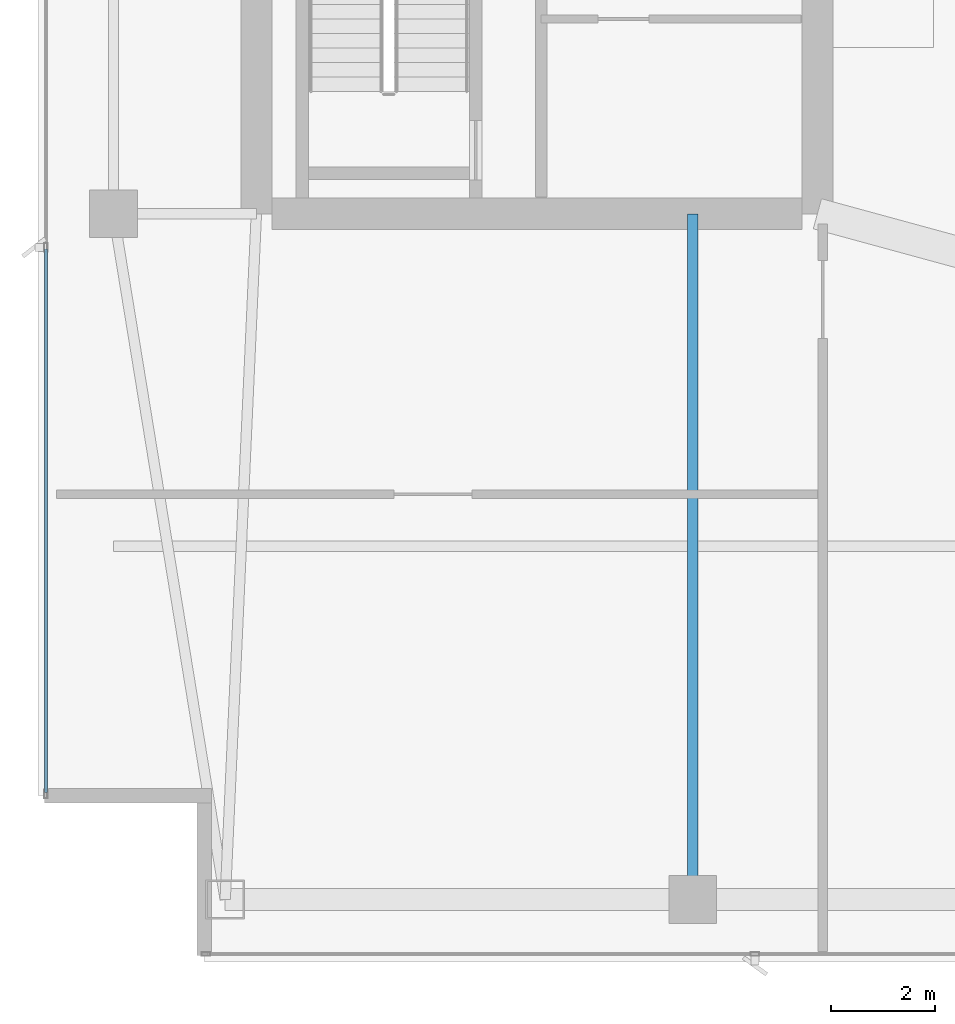
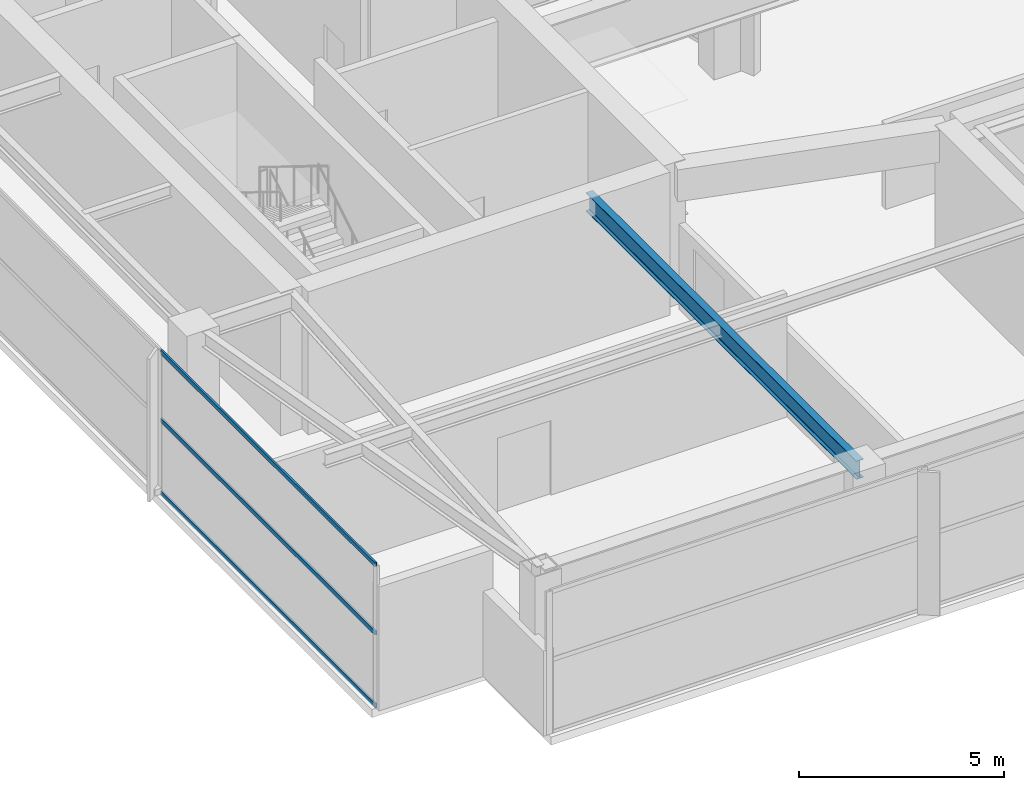
# One storey, part 4 of 25: 3 members, 1 beam, 1 element without a shape of its own.
"""IFC4 building model written with IfcOpenShell, lengths in metres."""

from ifc_helpers import new_model, si_unit, direction, frame, origin, origin_2d, place, context, subcontext, project, spatial, hollow_rectangle, i_section, extrude, material, layer, layer_set, material_profile, profile_set, type_object, element, aggregate, save


model = new_model("IFC4")

# Units and contexts
model_context = context("Model", 3, precision=1e-05, world=origin(), true_north=direction((0.0, 1.0)))
body_context = subcontext(model_context, "Body", "Model", "MODEL_VIEW")
ifc_project = project(units=[si_unit("LENGTHUNIT", "METRE"), si_unit("AREAUNIT", "SQUARE_METRE"), si_unit("VOLUMEUNIT", "CUBIC_METRE"), si_unit("PLANEANGLEUNIT", "RADIAN"), si_unit("MASSUNIT", "GRAM", prefix="KILO")], contexts=[model_context])

# Site, building, storey
site_placement = place(None, origin())
site = spatial("IfcSite", under=ifc_project, at=site_placement, CompositionType="ELEMENT")
building_placement = place(site_placement, origin())
building = spatial("IfcBuilding", under=site, at=building_placement, Name="Calvorn Quay Hotel", CompositionType="ELEMENT")
storey_placement = place(building_placement, frame((0.0, 0.0, 316.0)))
storey = spatial("IfcBuildingStorey", under=building, at=storey_placement, Name="L78", CompositionType="ELEMENT", Elevation=316.0)

# Beam
ifc_material_1 = material(Name="Steel Q355B", Category="steel")
ifc_material_profile_1 = material_profile(ifc_material_1, i_section(OverallWidth=0.199951171875, OverallDepth=0.550048828125, WebThickness=0.010009765625, FlangeThickness=0.01611328125, FilletRadius=0.01806640625, at=origin_2d()), Name="HN550x200x10x16")
ifc_profile_set_1 = profile_set([ifc_material_profile_1], Name="Steel Q355B")
beam_type = type_object("IfcBeamType", Name="BM-GIRD-UPP", PredefinedType="BEAM", material=ifc_profile_set_1)
beam_placement = place(storey_placement, frame((12.60009765625, 3.60009765625, 3.965087890625), z_axis=(0.0, 1.0, 0.0), x_axis=(-1.0, 0.0, 0.0)))
element("IfcBeam", 1, at=beam_placement, inside=storey, type_object=beam_type, Name="Beam BG-L78-S1", PredefinedType="BEAM", context=body_context, shape_type="SweptSolid", body=[
    extrude(i_section(OverallWidth=0.199951171875, OverallDepth=0.550048828125, WebThickness=0.010009765625, FlangeThickness=0.01611328125, FilletRadius=0.01806640625, at=origin_2d()), origin(), (0.0, 0.0, 1.0), 13.199951171875),
])

# Curtain wall, members
ifc_material_2 = material(Name="Champagne Bronze Anodised Aluminium and Low-E Glass", Category="aluminium")
ifc_layer = layer(ifc_material_2, 0.219970703125)
ifc_layer_set = layer_set([ifc_layer], Name="CW-SYS-Z4")
curtain_wall_type = type_object("IfcCurtainWallType", Name="CW-SYS-Z4", PredefinedType="NOTDEFINED", material=ifc_layer_set)
curtain_wall_placement = place(storey_placement, origin())
curtain_wall = element("IfcCurtainWall", 2, at=curtain_wall_placement, inside=storey, type_object=curtain_wall_type, Name="Tower West Curtain Wall (L78)", PredefinedType="NOTDEFINED")
ifc_material_3 = material(Name="Champagne Bronze Anodised Aluminium 6063-T6", Category="aluminium")
ifc_material_profile_2 = material_profile(ifc_material_3, hollow_rectangle(XDim=0.054931640625, YDim=0.1298828125, WallThickness=0.003173828125, at=origin_2d()), Name="ALU-T130x55x3.2")
ifc_profile_set_2 = profile_set([ifc_material_profile_2], Name="Champagne Bronze Anodised Aluminium 6063-T6")
member_type = type_object("IfcMemberType", Name="CW-SYS-Z4-TRN", PredefinedType="USERDEFINED", material=ifc_profile_set_2)
member_1_placement = place(storey_placement, frame((0.14990234375, 5.659912109375, 0.030029296875), z_axis=(0.0, 1.0, 0.0), x_axis=(-1.0, 0.0, 0.0)))
member_1 = element("IfcMember", 3, at=member_1_placement, type_object=member_type, Name="CW-L78-W transom 1.1", ObjectType="TRANSOM", PredefinedType="USERDEFINED", context=body_context, shape_type="SweptSolid", body=[
    extrude(hollow_rectangle(XDim=0.054931640625, YDim=0.1298828125, WallThickness=0.003173828125, at=origin_2d()), origin(), (0.0, 0.0, 1.0), 10.460205078125),
])
member_2_placement = place(storey_placement, frame((0.14990234375, 5.659912109375, 2.199951171875), z_axis=(0.0, 1.0, 0.0), x_axis=(-1.0, 0.0, 0.0)))
member_2 = element("IfcMember", 4, at=member_2_placement, type_object=member_type, Name="CW-L78-W transom 1.2", ObjectType="TRANSOM", PredefinedType="USERDEFINED", context=body_context, shape_type="SweptSolid", body=[
    extrude(hollow_rectangle(XDim=0.054931640625, YDim=0.1298828125, WallThickness=0.003173828125, at=origin_2d()), origin(), (0.0, 0.0, 1.0), 10.460205078125),
])
member_3_placement = place(storey_placement, frame((0.14990234375, 5.659912109375, 4.22998046875), z_axis=(0.0, 1.0, 0.0), x_axis=(-1.0, 0.0, 0.0)))
member_3 = element("IfcMember", 5, at=member_3_placement, type_object=member_type, Name="CW-L78-W transom 1.3", ObjectType="TRANSOM", PredefinedType="USERDEFINED", context=body_context, shape_type="SweptSolid", body=[
    extrude(hollow_rectangle(XDim=0.054931640625, YDim=0.1298828125, WallThickness=0.003173828125, at=origin_2d()), origin(), (0.0, 0.0, 1.0), 10.460205078125),
])
aggregate(curtain_wall, [member_1, member_2, member_3])

save(model, "model.ifc")
